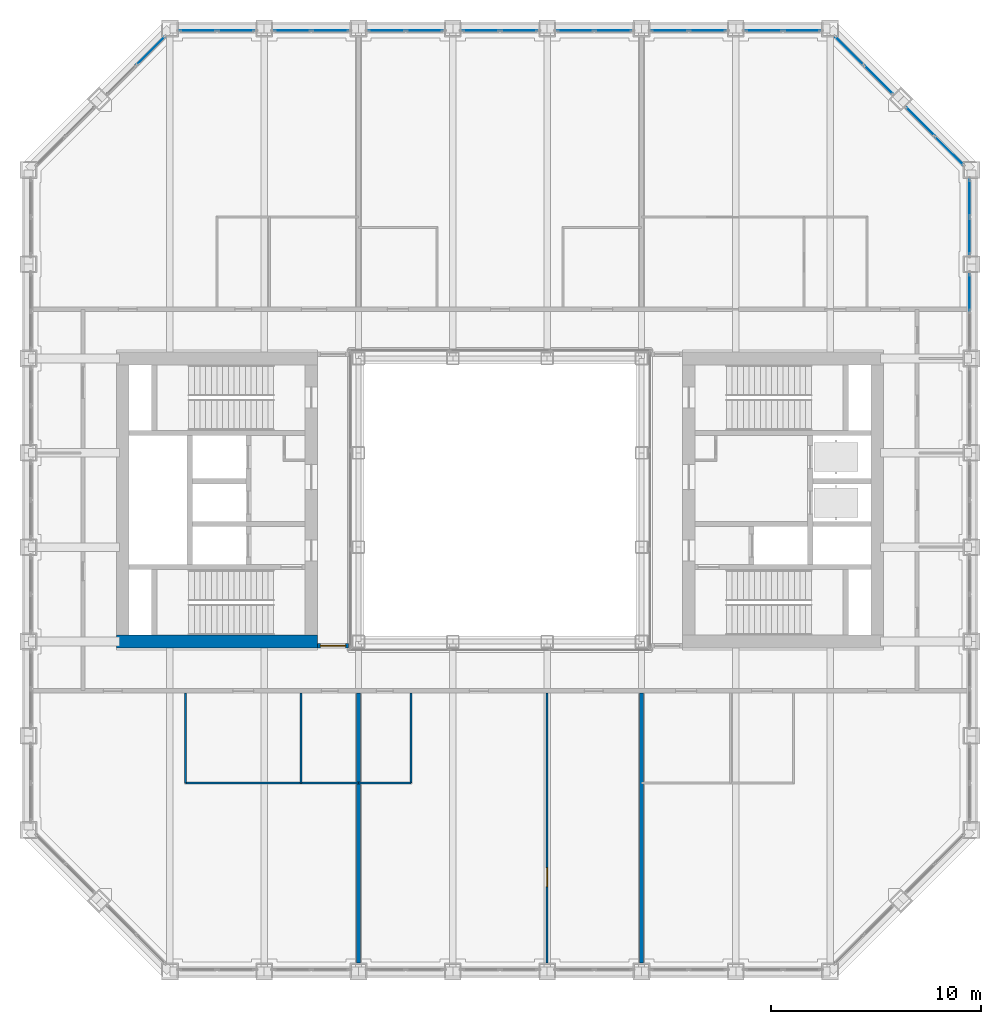
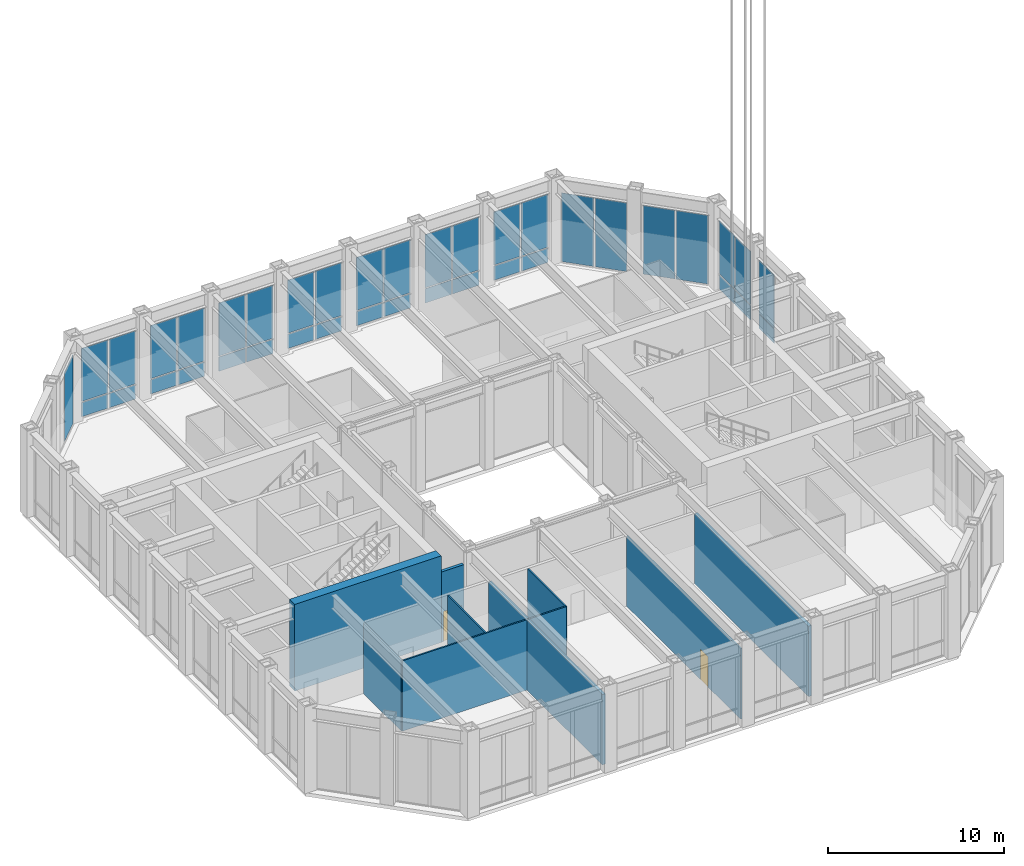
# One storey, part 12 of 22: 39 plates, 10 walls, 2 doors, 2 openings, 12 elements without a shape of their own.
"""IFC4 building model written with IfcOpenShell, lengths in metres."""

from ifc_helpers import new_model, si_unit, direction, frame, frame_2d, origin, origin_2d, place, context, subcontext, project, spatial, rectangle, extrude, material, layer, layer_set, type_object, element, fill, aggregate, save


model = new_model("IFC4")

# Units and contexts
model_context = context("Model", 3, precision=1e-05, world=origin(), true_north=direction((0.0, 1.0)))
body_context = subcontext(model_context, "Body", "Model", "MODEL_VIEW")
ifc_project = project(units=[si_unit("LENGTHUNIT", "METRE"), si_unit("AREAUNIT", "SQUARE_METRE"), si_unit("VOLUMEUNIT", "CUBIC_METRE"), si_unit("PLANEANGLEUNIT", "RADIAN"), si_unit("MASSUNIT", "GRAM", prefix="KILO")], contexts=[model_context])

# Site, building, storey
site_placement = place(None, origin())
site = spatial("IfcSite", under=ifc_project, at=site_placement, CompositionType="ELEMENT")
building_placement = place(site_placement, origin())
building = spatial("IfcBuilding", under=site, at=building_placement, Name="Msasa Ring Tower", CompositionType="ELEMENT")
storey_placement = place(building_placement, frame((0.0, 0.0, 112.39990234375)))
storey = spatial("IfcBuildingStorey", under=building, at=storey_placement, Name="L29", CompositionType="ELEMENT", Elevation=112.39990234375)

# Curtain wall, plates
ifc_material_1 = material(Name="Aluminium curtain wall with clear glass", Category="aluminium")
curtain_wall_type_1 = type_object("IfcCurtainWallType", Name="CW-C CHAMFER CORNER CURTAIN WALL", PredefinedType="NOTDEFINED", material=ifc_material_1)
curtain_wall_1_placement = place(storey_placement, origin())
curtain_wall_1 = element("IfcCurtainWall", 1, at=curtain_wall_1_placement, inside=storey, type_object=curtain_wall_type_1, Name="Chamfer corner curtain wall NE L29", PredefinedType="NOTDEFINED")
ifc_material_2 = material(Name="Clear laminated insulating glass unit", Category="glass")
ifc_layer_1 = layer(ifc_material_2, 0.031982421875)
ifc_layer_set_1 = layer_set([ifc_layer_1], Name="CW-C GLASS PANEL 32")
plate_type_1 = type_object("IfcPlateType", Name="CW-C GLASS PANEL 32", PredefinedType="CURTAIN_PANEL", material=ifc_layer_set_1)
plate_1_placement = place(storey_placement, frame((18.055908203125, 20.052734375, 0.065185546875), z_axis=(0.0, 0.0, 1.0), x_axis=(-0.707106781187, 0.707106781187, 0.0)))
plate_1 = element("IfcPlate", 2, at=plate_1_placement, type_object=plate_type_1, Name="CW-C panel 1.1", PredefinedType="CURTAIN_PANEL", context=body_context, shape_type="SweptSolid", body=[
    extrude(rectangle(XDim=1.884033203125, YDim=0.031982421875, at=origin_2d()), origin(), (0.0, 0.0, 1.0), 4.7490234375),
])
plate_2_placement = place(storey_placement, frame((16.677734375, 21.430908203125, 0.065185546875), z_axis=(0.0, 0.0, 1.0), x_axis=(-0.707106781187, 0.707106781187, 0.0)))
plate_2 = element("IfcPlate", 3, at=plate_2_placement, type_object=plate_type_1, Name="CW-C panel 2.1", PredefinedType="CURTAIN_PANEL", context=body_context, shape_type="SweptSolid", body=[
    extrude(rectangle(XDim=1.884033203125, YDim=0.031982421875, at=origin_2d()), origin(), (0.0, 0.0, 1.0), 4.7490234375),
])
aggregate(curtain_wall_1, [plate_1, plate_2])

curtain_wall_2_placement = place(storey_placement, origin())
curtain_wall_2 = element("IfcCurtainWall", 4, at=curtain_wall_2_placement, inside=storey, type_object=curtain_wall_type_1, Name="Chamfer corner curtain wall NE L29", PredefinedType="NOTDEFINED")
plate_3_placement = place(storey_placement, frame((21.430908203125, 16.677734375, 0.065185546875), z_axis=(0.0, 0.0, 1.0), x_axis=(-0.707106781187, 0.707106781187, 0.0)))
plate_3 = element("IfcPlate", 5, at=plate_3_placement, type_object=plate_type_1, Name="CW-C panel 1.1", PredefinedType="CURTAIN_PANEL", context=body_context, shape_type="SweptSolid", body=[
    extrude(rectangle(XDim=1.884033203125, YDim=0.031982421875, at=origin_2d()), origin(), (0.0, 0.0, 1.0), 4.7490234375),
])
plate_4_placement = place(storey_placement, frame((20.052734375, 18.055908203125, 0.065185546875), z_axis=(0.0, 0.0, 1.0), x_axis=(-0.707106781187, 0.707106781187, 0.0)))
plate_4 = element("IfcPlate", 6, at=plate_4_placement, type_object=plate_type_1, Name="CW-C panel 2.1", PredefinedType="CURTAIN_PANEL", context=body_context, shape_type="SweptSolid", body=[
    extrude(rectangle(XDim=1.884033203125, YDim=0.031982421875, at=origin_2d()), origin(), (0.0, 0.0, 1.0), 4.7490234375),
])
aggregate(curtain_wall_2, [plate_3, plate_4])

# Curtain wall, plate
curtain_wall_3_placement = place(storey_placement, origin())
curtain_wall_3 = element("IfcCurtainWall", 7, at=curtain_wall_3_placement, inside=storey, type_object=curtain_wall_type_1, Name="Chamfer corner curtain wall NW L29", PredefinedType="NOTDEFINED")
plate_5_placement = place(storey_placement, frame((-16.677734375, 21.430908203125, 0.065185546875), z_axis=(0.0, 0.0, 1.0), x_axis=(-0.707106781187, -0.707106781187, 0.0)))
plate_5 = element("IfcPlate", 8, at=plate_5_placement, type_object=plate_type_1, Name="CW-C panel 1.1", PredefinedType="CURTAIN_PANEL", context=body_context, shape_type="SweptSolid", body=[
    extrude(rectangle(XDim=1.884033203125, YDim=0.031982421875, at=origin_2d()), origin(), (0.0, 0.0, 1.0), 4.7490234375),
])
aggregate(curtain_wall_3, [plate_5])

# Curtain wall, plates
ifc_material_3 = material(Name="Aluminium curtain wall with clear glass", Category="aluminium")
curtain_wall_type_2 = type_object("IfcCurtainWallType", Name="CW-S SKY LOBBY CURTAIN WALL", PredefinedType="NOTDEFINED", material=ifc_material_3)
curtain_wall_4_placement = place(storey_placement, origin())
curtain_wall_4 = element("IfcCurtainWall", 9, at=curtain_wall_4_placement, inside=storey, type_object=curtain_wall_type_2, Name="Sky lobby curtain wall E L29", PredefinedType="NOTDEFINED")
ifc_material_4 = material(Name="Clear laminated insulating glass unit", Category="glass")
ifc_layer_2 = layer(ifc_material_4, 0.035888671875)
ifc_layer_set_2 = layer_set([ifc_layer_2], Name="CW-S GLASS PANEL 36")
plate_type_2 = type_object("IfcPlateType", Name="CW-S GLASS PANEL 36", PredefinedType="CURTAIN_PANEL", material=ifc_layer_set_2)
plate_6_placement = place(storey_placement, frame((22.39990234375, 9.90380859375, 0.0751953125), z_axis=(0.0, 0.0, 1.0), x_axis=(0.0, 1.0, 0.0)))
plate_6 = element("IfcPlate", 10, at=plate_6_placement, type_object=plate_type_2, Name="CW-S panel 2.1", PredefinedType="CURTAIN_PANEL", context=body_context, shape_type="SweptSolid", body=[
    extrude(rectangle(XDim=1.732421875, YDim=0.035888671875, at=origin_2d()), origin(), (0.0, 0.0, 1.0), 0.987548828125),
])
plate_7_placement = place(storey_placement, frame((22.39990234375, 9.90380859375, 1.1376953125), z_axis=(0.0, 0.0, 1.0), x_axis=(0.0, 1.0, 0.0)))
plate_7 = element("IfcPlate", 11, at=plate_7_placement, type_object=plate_type_2, Name="CW-S panel 2.2", PredefinedType="CURTAIN_PANEL", context=body_context, shape_type="SweptSolid", body=[
    extrude(rectangle(XDim=1.732421875, YDim=0.035888671875, at=origin_2d()), origin(), (0.0, 0.0, 1.0), 3.66650390625),
])
aggregate(curtain_wall_4, [plate_6, plate_7])

curtain_wall_5_placement = place(storey_placement, origin())
curtain_wall_5 = element("IfcCurtainWall", 12, at=curtain_wall_5_placement, inside=storey, type_object=curtain_wall_type_2, Name="Sky lobby curtain wall E L29", PredefinedType="NOTDEFINED")
plate_8_placement = place(storey_placement, frame((22.39990234375, 12.59619140625, 0.0751953125), z_axis=(0.0, 0.0, 1.0), x_axis=(0.0, 1.0, 0.0)))
plate_8 = element("IfcPlate", 13, at=plate_8_placement, type_object=plate_type_2, Name="CW-S panel 1.1", PredefinedType="CURTAIN_PANEL", context=body_context, shape_type="SweptSolid", body=[
    extrude(rectangle(XDim=1.732421875, YDim=0.035888671875, at=origin_2d()), origin(), (0.0, 0.0, 1.0), 0.987548828125),
])
plate_9_placement = place(storey_placement, frame((22.39990234375, 12.59619140625, 1.1376953125), z_axis=(0.0, 0.0, 1.0), x_axis=(0.0, 1.0, 0.0)))
plate_9 = element("IfcPlate", 14, at=plate_9_placement, type_object=plate_type_2, Name="CW-S panel 1.2", PredefinedType="CURTAIN_PANEL", context=body_context, shape_type="SweptSolid", body=[
    extrude(rectangle(XDim=1.732421875, YDim=0.035888671875, at=origin_2d()), origin(), (0.0, 0.0, 1.0), 3.66650390625),
])
plate_10_placement = place(storey_placement, frame((22.39990234375, 14.40380859375, 0.0751953125), z_axis=(0.0, 0.0, 1.0), x_axis=(0.0, 1.0, 0.0)))
plate_10 = element("IfcPlate", 15, at=plate_10_placement, type_object=plate_type_2, Name="CW-S panel 2.1", PredefinedType="CURTAIN_PANEL", context=body_context, shape_type="SweptSolid", body=[
    extrude(rectangle(XDim=1.732421875, YDim=0.035888671875, at=origin_2d()), origin(), (0.0, 0.0, 1.0), 0.987548828125),
])
plate_11_placement = place(storey_placement, frame((22.39990234375, 14.40380859375, 1.1376953125), z_axis=(0.0, 0.0, 1.0), x_axis=(0.0, 1.0, 0.0)))
plate_11 = element("IfcPlate", 16, at=plate_11_placement, type_object=plate_type_2, Name="CW-S panel 2.2", PredefinedType="CURTAIN_PANEL", context=body_context, shape_type="SweptSolid", body=[
    extrude(rectangle(XDim=1.732421875, YDim=0.035888671875, at=origin_2d()), origin(), (0.0, 0.0, 1.0), 3.66650390625),
])
aggregate(curtain_wall_5, [plate_8, plate_9, plate_10, plate_11])

curtain_wall_6_placement = place(storey_placement, origin())
curtain_wall_6 = element("IfcCurtainWall", 17, at=curtain_wall_6_placement, inside=storey, type_object=curtain_wall_type_2, Name="Sky lobby curtain wall N L29", PredefinedType="NOTDEFINED")
plate_12_placement = place(storey_placement, frame((-14.40380859375, 22.39990234375, 0.0751953125), z_axis=(0.0, 0.0, 1.0), x_axis=(1.0, 0.0, 0.0)))
plate_12 = element("IfcPlate", 18, at=plate_12_placement, type_object=plate_type_2, Name="CW-S panel 1.1", PredefinedType="CURTAIN_PANEL", context=body_context, shape_type="SweptSolid", body=[
    extrude(rectangle(XDim=1.732421875, YDim=0.035888671875, at=origin_2d()), origin(), (0.0, 0.0, 1.0), 0.987548828125),
])
plate_13_placement = place(storey_placement, frame((-14.40380859375, 22.39990234375, 1.1376953125), z_axis=(0.0, 0.0, 1.0), x_axis=(1.0, 0.0, 0.0)))
plate_13 = element("IfcPlate", 19, at=plate_13_placement, type_object=plate_type_2, Name="CW-S panel 1.2", PredefinedType="CURTAIN_PANEL", context=body_context, shape_type="SweptSolid", body=[
    extrude(rectangle(XDim=1.732421875, YDim=0.035888671875, at=origin_2d()), origin(), (0.0, 0.0, 1.0), 3.66650390625),
])
plate_14_placement = place(storey_placement, frame((-12.59619140625, 22.39990234375, 0.0751953125), z_axis=(0.0, 0.0, 1.0), x_axis=(1.0, 0.0, 0.0)))
plate_14 = element("IfcPlate", 20, at=plate_14_placement, type_object=plate_type_2, Name="CW-S panel 2.1", PredefinedType="CURTAIN_PANEL", context=body_context, shape_type="SweptSolid", body=[
    extrude(rectangle(XDim=1.732421875, YDim=0.035888671875, at=origin_2d()), origin(), (0.0, 0.0, 1.0), 0.987548828125),
])
plate_15_placement = place(storey_placement, frame((-12.59619140625, 22.39990234375, 1.1376953125), z_axis=(0.0, 0.0, 1.0), x_axis=(1.0, 0.0, 0.0)))
plate_15 = element("IfcPlate", 21, at=plate_15_placement, type_object=plate_type_2, Name="CW-S panel 2.2", PredefinedType="CURTAIN_PANEL", context=body_context, shape_type="SweptSolid", body=[
    extrude(rectangle(XDim=1.732421875, YDim=0.035888671875, at=origin_2d()), origin(), (0.0, 0.0, 1.0), 3.66650390625),
])
aggregate(curtain_wall_6, [plate_12, plate_13, plate_14, plate_15])

curtain_wall_7_placement = place(storey_placement, origin())
curtain_wall_7 = element("IfcCurtainWall", 22, at=curtain_wall_7_placement, inside=storey, type_object=curtain_wall_type_2, Name="Sky lobby curtain wall N L29", PredefinedType="NOTDEFINED")
plate_16_placement = place(storey_placement, frame((-9.90380859375, 22.39990234375, 0.0751953125), z_axis=(0.0, 0.0, 1.0), x_axis=(1.0, 0.0, 0.0)))
plate_16 = element("IfcPlate", 23, at=plate_16_placement, type_object=plate_type_2, Name="CW-S panel 1.1", PredefinedType="CURTAIN_PANEL", context=body_context, shape_type="SweptSolid", body=[
    extrude(rectangle(XDim=1.732421875, YDim=0.035888671875, at=origin_2d()), origin(), (0.0, 0.0, 1.0), 0.987548828125),
])
plate_17_placement = place(storey_placement, frame((-9.90380859375, 22.39990234375, 1.1376953125), z_axis=(0.0, 0.0, 1.0), x_axis=(1.0, 0.0, 0.0)))
plate_17 = element("IfcPlate", 24, at=plate_17_placement, type_object=plate_type_2, Name="CW-S panel 1.2", PredefinedType="CURTAIN_PANEL", context=body_context, shape_type="SweptSolid", body=[
    extrude(rectangle(XDim=1.732421875, YDim=0.035888671875, at=origin_2d()), origin(), (0.0, 0.0, 1.0), 3.66650390625),
])
plate_18_placement = place(storey_placement, frame((-8.09619140625, 22.39990234375, 0.0751953125), z_axis=(0.0, 0.0, 1.0), x_axis=(1.0, 0.0, 0.0)))
plate_18 = element("IfcPlate", 25, at=plate_18_placement, type_object=plate_type_2, Name="CW-S panel 2.1", PredefinedType="CURTAIN_PANEL", context=body_context, shape_type="SweptSolid", body=[
    extrude(rectangle(XDim=1.732421875, YDim=0.035888671875, at=origin_2d()), origin(), (0.0, 0.0, 1.0), 0.987548828125),
])
plate_19_placement = place(storey_placement, frame((-8.09619140625, 22.39990234375, 1.1376953125), z_axis=(0.0, 0.0, 1.0), x_axis=(1.0, 0.0, 0.0)))
plate_19 = element("IfcPlate", 26, at=plate_19_placement, type_object=plate_type_2, Name="CW-S panel 2.2", PredefinedType="CURTAIN_PANEL", context=body_context, shape_type="SweptSolid", body=[
    extrude(rectangle(XDim=1.732421875, YDim=0.035888671875, at=origin_2d()), origin(), (0.0, 0.0, 1.0), 3.66650390625),
])
aggregate(curtain_wall_7, [plate_16, plate_17, plate_18, plate_19])

curtain_wall_8_placement = place(storey_placement, origin())
curtain_wall_8 = element("IfcCurtainWall", 27, at=curtain_wall_8_placement, inside=storey, type_object=curtain_wall_type_2, Name="Sky lobby curtain wall N L29", PredefinedType="NOTDEFINED")
plate_20_placement = place(storey_placement, frame((-5.40380859375, 22.39990234375, 0.0751953125), z_axis=(0.0, 0.0, 1.0), x_axis=(1.0, 0.0, 0.0)))
plate_20 = element("IfcPlate", 28, at=plate_20_placement, type_object=plate_type_2, Name="CW-S panel 1.1", PredefinedType="CURTAIN_PANEL", context=body_context, shape_type="SweptSolid", body=[
    extrude(rectangle(XDim=1.732421875, YDim=0.035888671875, at=origin_2d()), origin(), (0.0, 0.0, 1.0), 0.987548828125),
])
plate_21_placement = place(storey_placement, frame((-5.40380859375, 22.39990234375, 1.1376953125), z_axis=(0.0, 0.0, 1.0), x_axis=(1.0, 0.0, 0.0)))
plate_21 = element("IfcPlate", 29, at=plate_21_placement, type_object=plate_type_2, Name="CW-S panel 1.2", PredefinedType="CURTAIN_PANEL", context=body_context, shape_type="SweptSolid", body=[
    extrude(rectangle(XDim=1.732421875, YDim=0.035888671875, at=origin_2d()), origin(), (0.0, 0.0, 1.0), 3.66650390625),
])
plate_22_placement = place(storey_placement, frame((-3.59619140625, 22.39990234375, 0.0751953125), z_axis=(0.0, 0.0, 1.0), x_axis=(1.0, 0.0, 0.0)))
plate_22 = element("IfcPlate", 30, at=plate_22_placement, type_object=plate_type_2, Name="CW-S panel 2.1", PredefinedType="CURTAIN_PANEL", context=body_context, shape_type="SweptSolid", body=[
    extrude(rectangle(XDim=1.732421875, YDim=0.035888671875, at=origin_2d()), origin(), (0.0, 0.0, 1.0), 0.987548828125),
])
plate_23_placement = place(storey_placement, frame((-3.59619140625, 22.39990234375, 1.1376953125), z_axis=(0.0, 0.0, 1.0), x_axis=(1.0, 0.0, 0.0)))
plate_23 = element("IfcPlate", 31, at=plate_23_placement, type_object=plate_type_2, Name="CW-S panel 2.2", PredefinedType="CURTAIN_PANEL", context=body_context, shape_type="SweptSolid", body=[
    extrude(rectangle(XDim=1.732421875, YDim=0.035888671875, at=origin_2d()), origin(), (0.0, 0.0, 1.0), 3.66650390625),
])
aggregate(curtain_wall_8, [plate_20, plate_21, plate_22, plate_23])

curtain_wall_9_placement = place(storey_placement, origin())
curtain_wall_9 = element("IfcCurtainWall", 32, at=curtain_wall_9_placement, inside=storey, type_object=curtain_wall_type_2, Name="Sky lobby curtain wall N L29", PredefinedType="NOTDEFINED")
plate_24_placement = place(storey_placement, frame((-0.90380859375, 22.39990234375, 0.0751953125), z_axis=(0.0, 0.0, 1.0), x_axis=(1.0, 0.0, 0.0)))
plate_24 = element("IfcPlate", 33, at=plate_24_placement, type_object=plate_type_2, Name="CW-S panel 1.1", PredefinedType="CURTAIN_PANEL", context=body_context, shape_type="SweptSolid", body=[
    extrude(rectangle(XDim=1.732421875, YDim=0.035888671875, at=origin_2d()), origin(), (0.0, 0.0, 1.0), 0.987548828125),
])
plate_25_placement = place(storey_placement, frame((-0.90380859375, 22.39990234375, 1.1376953125), z_axis=(0.0, 0.0, 1.0), x_axis=(1.0, 0.0, 0.0)))
plate_25 = element("IfcPlate", 34, at=plate_25_placement, type_object=plate_type_2, Name="CW-S panel 1.2", PredefinedType="CURTAIN_PANEL", context=body_context, shape_type="SweptSolid", body=[
    extrude(rectangle(XDim=1.732421875, YDim=0.035888671875, at=origin_2d()), origin(), (0.0, 0.0, 1.0), 3.66650390625),
])
plate_26_placement = place(storey_placement, frame((0.90380859375, 22.39990234375, 0.0751953125), z_axis=(0.0, 0.0, 1.0), x_axis=(1.0, 0.0, 0.0)))
plate_26 = element("IfcPlate", 35, at=plate_26_placement, type_object=plate_type_2, Name="CW-S panel 2.1", PredefinedType="CURTAIN_PANEL", context=body_context, shape_type="SweptSolid", body=[
    extrude(rectangle(XDim=1.732421875, YDim=0.035888671875, at=origin_2d()), origin(), (0.0, 0.0, 1.0), 0.987548828125),
])
plate_27_placement = place(storey_placement, frame((0.90380859375, 22.39990234375, 1.1376953125), z_axis=(0.0, 0.0, 1.0), x_axis=(1.0, 0.0, 0.0)))
plate_27 = element("IfcPlate", 36, at=plate_27_placement, type_object=plate_type_2, Name="CW-S panel 2.2", PredefinedType="CURTAIN_PANEL", context=body_context, shape_type="SweptSolid", body=[
    extrude(rectangle(XDim=1.732421875, YDim=0.035888671875, at=origin_2d()), origin(), (0.0, 0.0, 1.0), 3.66650390625),
])
aggregate(curtain_wall_9, [plate_24, plate_25, plate_26, plate_27])

curtain_wall_10_placement = place(storey_placement, origin())
curtain_wall_10 = element("IfcCurtainWall", 37, at=curtain_wall_10_placement, inside=storey, type_object=curtain_wall_type_2, Name="Sky lobby curtain wall N L29", PredefinedType="NOTDEFINED")
plate_28_placement = place(storey_placement, frame((3.59619140625, 22.39990234375, 0.0751953125), z_axis=(0.0, 0.0, 1.0), x_axis=(1.0, 0.0, 0.0)))
plate_28 = element("IfcPlate", 38, at=plate_28_placement, type_object=plate_type_2, Name="CW-S panel 1.1", PredefinedType="CURTAIN_PANEL", context=body_context, shape_type="SweptSolid", body=[
    extrude(rectangle(XDim=1.732421875, YDim=0.035888671875, at=origin_2d()), origin(), (0.0, 0.0, 1.0), 0.987548828125),
])
plate_29_placement = place(storey_placement, frame((3.59619140625, 22.39990234375, 1.1376953125), z_axis=(0.0, 0.0, 1.0), x_axis=(1.0, 0.0, 0.0)))
plate_29 = element("IfcPlate", 39, at=plate_29_placement, type_object=plate_type_2, Name="CW-S panel 1.2", PredefinedType="CURTAIN_PANEL", context=body_context, shape_type="SweptSolid", body=[
    extrude(rectangle(XDim=1.732421875, YDim=0.035888671875, at=origin_2d()), origin(), (0.0, 0.0, 1.0), 3.66650390625),
])
plate_30_placement = place(storey_placement, frame((5.40380859375, 22.39990234375, 0.0751953125), z_axis=(0.0, 0.0, 1.0), x_axis=(1.0, 0.0, 0.0)))
plate_30 = element("IfcPlate", 40, at=plate_30_placement, type_object=plate_type_2, Name="CW-S panel 2.1", PredefinedType="CURTAIN_PANEL", context=body_context, shape_type="SweptSolid", body=[
    extrude(rectangle(XDim=1.732421875, YDim=0.035888671875, at=origin_2d()), origin(), (0.0, 0.0, 1.0), 0.987548828125),
])
plate_31_placement = place(storey_placement, frame((5.40380859375, 22.39990234375, 1.1376953125), z_axis=(0.0, 0.0, 1.0), x_axis=(1.0, 0.0, 0.0)))
plate_31 = element("IfcPlate", 41, at=plate_31_placement, type_object=plate_type_2, Name="CW-S panel 2.2", PredefinedType="CURTAIN_PANEL", context=body_context, shape_type="SweptSolid", body=[
    extrude(rectangle(XDim=1.732421875, YDim=0.035888671875, at=origin_2d()), origin(), (0.0, 0.0, 1.0), 3.66650390625),
])
aggregate(curtain_wall_10, [plate_28, plate_29, plate_30, plate_31])

curtain_wall_11_placement = place(storey_placement, origin())
curtain_wall_11 = element("IfcCurtainWall", 42, at=curtain_wall_11_placement, inside=storey, type_object=curtain_wall_type_2, Name="Sky lobby curtain wall N L29", PredefinedType="NOTDEFINED")
plate_32_placement = place(storey_placement, frame((8.09619140625, 22.39990234375, 0.0751953125), z_axis=(0.0, 0.0, 1.0), x_axis=(1.0, 0.0, 0.0)))
plate_32 = element("IfcPlate", 43, at=plate_32_placement, type_object=plate_type_2, Name="CW-S panel 1.1", PredefinedType="CURTAIN_PANEL", context=body_context, shape_type="SweptSolid", body=[
    extrude(rectangle(XDim=1.732421875, YDim=0.035888671875, at=origin_2d()), origin(), (0.0, 0.0, 1.0), 0.987548828125),
])
plate_33_placement = place(storey_placement, frame((8.09619140625, 22.39990234375, 1.1376953125), z_axis=(0.0, 0.0, 1.0), x_axis=(1.0, 0.0, 0.0)))
plate_33 = element("IfcPlate", 44, at=plate_33_placement, type_object=plate_type_2, Name="CW-S panel 1.2", PredefinedType="CURTAIN_PANEL", context=body_context, shape_type="SweptSolid", body=[
    extrude(rectangle(XDim=1.732421875, YDim=0.035888671875, at=origin_2d()), origin(), (0.0, 0.0, 1.0), 3.66650390625),
])
plate_34_placement = place(storey_placement, frame((9.90380859375, 22.39990234375, 0.0751953125), z_axis=(0.0, 0.0, 1.0), x_axis=(1.0, 0.0, 0.0)))
plate_34 = element("IfcPlate", 45, at=plate_34_placement, type_object=plate_type_2, Name="CW-S panel 2.1", PredefinedType="CURTAIN_PANEL", context=body_context, shape_type="SweptSolid", body=[
    extrude(rectangle(XDim=1.732421875, YDim=0.035888671875, at=origin_2d()), origin(), (0.0, 0.0, 1.0), 0.987548828125),
])
plate_35_placement = place(storey_placement, frame((9.90380859375, 22.39990234375, 1.1376953125), z_axis=(0.0, 0.0, 1.0), x_axis=(1.0, 0.0, 0.0)))
plate_35 = element("IfcPlate", 46, at=plate_35_placement, type_object=plate_type_2, Name="CW-S panel 2.2", PredefinedType="CURTAIN_PANEL", context=body_context, shape_type="SweptSolid", body=[
    extrude(rectangle(XDim=1.732421875, YDim=0.035888671875, at=origin_2d()), origin(), (0.0, 0.0, 1.0), 3.66650390625),
])
aggregate(curtain_wall_11, [plate_32, plate_33, plate_34, plate_35])

curtain_wall_12_placement = place(storey_placement, origin())
curtain_wall_12 = element("IfcCurtainWall", 47, at=curtain_wall_12_placement, inside=storey, type_object=curtain_wall_type_2, Name="Sky lobby curtain wall N L29", PredefinedType="NOTDEFINED")
plate_36_placement = place(storey_placement, frame((12.59619140625, 22.39990234375, 0.0751953125), z_axis=(0.0, 0.0, 1.0), x_axis=(1.0, 0.0, 0.0)))
plate_36 = element("IfcPlate", 48, at=plate_36_placement, type_object=plate_type_2, Name="CW-S panel 1.1", PredefinedType="CURTAIN_PANEL", context=body_context, shape_type="SweptSolid", body=[
    extrude(rectangle(XDim=1.732421875, YDim=0.035888671875, at=origin_2d()), origin(), (0.0, 0.0, 1.0), 0.987548828125),
])
plate_37_placement = place(storey_placement, frame((12.59619140625, 22.39990234375, 1.1376953125), z_axis=(0.0, 0.0, 1.0), x_axis=(1.0, 0.0, 0.0)))
plate_37 = element("IfcPlate", 49, at=plate_37_placement, type_object=plate_type_2, Name="CW-S panel 1.2", PredefinedType="CURTAIN_PANEL", context=body_context, shape_type="SweptSolid", body=[
    extrude(rectangle(XDim=1.732421875, YDim=0.035888671875, at=origin_2d()), origin(), (0.0, 0.0, 1.0), 3.66650390625),
])
plate_38_placement = place(storey_placement, frame((14.40380859375, 22.39990234375, 0.0751953125), z_axis=(0.0, 0.0, 1.0), x_axis=(1.0, 0.0, 0.0)))
plate_38 = element("IfcPlate", 50, at=plate_38_placement, type_object=plate_type_2, Name="CW-S panel 2.1", PredefinedType="CURTAIN_PANEL", context=body_context, shape_type="SweptSolid", body=[
    extrude(rectangle(XDim=1.732421875, YDim=0.035888671875, at=origin_2d()), origin(), (0.0, 0.0, 1.0), 0.987548828125),
])
plate_39_placement = place(storey_placement, frame((14.40380859375, 22.39990234375, 1.1376953125), z_axis=(0.0, 0.0, 1.0), x_axis=(1.0, 0.0, 0.0)))
plate_39 = element("IfcPlate", 51, at=plate_39_placement, type_object=plate_type_2, Name="CW-S panel 2.2", PredefinedType="CURTAIN_PANEL", context=body_context, shape_type="SweptSolid", body=[
    extrude(rectangle(XDim=1.732421875, YDim=0.035888671875, at=origin_2d()), origin(), (0.0, 0.0, 1.0), 3.66650390625),
])
aggregate(curtain_wall_12, [plate_36, plate_37, plate_38, plate_39])

# Wall
ifc_material_5 = material(Name="Concrete C60/75", Category="concrete")
ifc_layer_3 = layer(ifc_material_5, 0.60009765625)
ifc_layer_set_3 = layer_set([ifc_layer_3], Name="CW2 CORE WALL 600")
wall_type_1 = type_object("IfcWallType", Name="CW2 CORE WALL 600", PredefinedType="SHEAR", material=ifc_layer_set_3)
wall_1_placement = place(storey_placement, frame((-8.699951171875, -6.75, 0.0), z_axis=(0.0, 0.0, 1.0), x_axis=(-1.0, 0.0, 0.0)))
element("IfcWall", 52, at=wall_1_placement, inside=storey, type_object=wall_type_1, Name="W core wall S L29", PredefinedType="SHEAR", context=body_context, shape_type="SweptSolid", body=[
    extrude(rectangle(XDim=9.60009765625, YDim=0.60009765625, at=frame_2d((4.800048828125, 0.0))), origin(), (0.0, 0.0, 1.0), 6.0),
])

# Wall, opening, door
ifc_material_6 = material(Name="Concrete blockwork", Category="masonry")
ifc_layer_4 = layer(ifc_material_6, 0.199951171875)
ifc_layer_set_4 = layer_set([ifc_layer_4], Name="PT1 CORRIDOR WALL 200")
wall_type_2 = type_object("IfcWallType", Name="PT1 CORRIDOR WALL 200", PredefinedType="PARTITIONING", material=ifc_layer_set_4)
wall_2_placement = place(storey_placement, frame((-8.699951171875, -6.949951171875, 0.0), z_axis=(0.0, 0.0, 1.0), x_axis=(1.0, 0.0, 0.0)))
wall_2 = element("IfcWall", 53, at=wall_2_placement, inside=storey, type_object=wall_type_2, Name="Corridor wall L29-SDWS", PredefinedType="PARTITIONING", context=body_context, shape_type="SweptSolid", body=[
    extrude(rectangle(XDim=1.469970703125, YDim=0.199951171875, at=frame_2d((0.73486328125, 0.0))), origin(), (0.0, 0.0, 1.0), 4.87353515625),
])
opening_1_placement = place(wall_2_placement, frame((0.135009765625, 0.0, 0.0)))
opening_1 = element("IfcOpeningElement", 54, at=opening_1_placement, cuts=wall_2, Name="Opening L29-030", PredefinedType="OPENING", context=body_context, shape_type="SweptSolid", body=[
    extrude(rectangle(XDim=1.199951171875, YDim=2.10009765625, at=frame_2d((0.60009765625, 1.050048828125))), frame((0.0, 0.10986328125, 0.0), z_axis=(0.0, -1.0, 0.0), x_axis=(1.0, 0.0, 0.0)), (0.0, 0.0, 1.0), 0.219970703125),
])
ifc_material_7 = material(Name="Timber door leaf in a steel frame", Category="steel")
door_type_1 = type_object("IfcDoorType", Name="D25 CORRIDOR PAIR OF SMOKE DOORS 1200x2100", OperationType="DOUBLE_DOOR_DOUBLE_SWING", PredefinedType="DOOR", material=ifc_material_7)
door_1_placement = place(opening_1_placement, origin())
door_1 = element("IfcDoor", 55, at=door_1_placement, inside=storey, type_object=door_type_1, Name="Door L29-SDWS", OperationType="DOUBLE_DOOR_DOUBLE_SWING", OverallHeight=2.10009765625, OverallWidth=1.199951171875, PredefinedType="DOOR", context=body_context, shape_type="SweptSolid", body=[
    extrude(rectangle(XDim=1.199951171875, YDim=2.10009765625, at=frame_2d((0.60009765625, 1.050048828125))), frame((0.0, 0.02490234375, 0.0), z_axis=(0.0, -1.0, 0.0), x_axis=(1.0, 0.0, 0.0)), (0.0, 0.0, 1.0), 0.050048828125),
])
fill(opening_1, door_1)

# Walls
ifc_material_8 = material(Name="Gypsum board on steel studs", Category="steel")
ifc_layer_5 = layer(ifc_material_8, 0.10009765625)
ifc_layer_set_5 = layer_set([ifc_layer_5], Name="PT2 STUD PARTITION 100")
wall_type_3 = type_object("IfcWallType", Name="PT2 STUD PARTITION 100", PredefinedType="PARTITIONING", material=ifc_layer_set_5)
wall_3_placement = place(storey_placement, frame((-15.0, -13.5, 0.0), z_axis=(0.0, 0.0, 1.0), x_axis=(1.0, 0.0, 0.0)))
element("IfcWall", 56, at=wall_3_placement, inside=storey, type_object=wall_type_3, Name="Partition L29-SLS0X0", PredefinedType="PARTITIONING", context=body_context, shape_type="SweptSolid", body=[
    extrude(rectangle(XDim=8.25, YDim=0.10009765625, at=frame_2d((4.125, 0.0))), origin(), (0.0, 0.0, 1.0), 4.87353515625),
])
for number, where, z_axis, x_axis, name in (
    (57, (-15.0, -13.5, 0.0), (0.0, 0.0, 1.0), (0.0, 1.0, 0.0), "Partition L29-SLS0Y0"),
    (58, (-9.5, -13.5, 0.0), (0.0, 0.0, 1.0), (0.0, 1.0, 0.0), "Partition L29-SLS0Y1"),
):
    element("IfcWall", number, at=place(storey_placement, frame(where, z_axis=z_axis, x_axis=x_axis)), inside=storey, type_object=wall_type_3, Name=name, PredefinedType="PARTITIONING", context=body_context, shape_type="SweptSolid", body=[
        extrude(rectangle(XDim=4.300048828125, YDim=0.10009765625, at=frame_2d((2.14990234375, 0.0))), origin(), (0.0, 0.0, 1.0), 4.87353515625),
    ])
wall_4_placement = place(storey_placement, frame((-6.75, -13.5, 0.0), z_axis=(0.0, 0.0, 1.0), x_axis=(1.0, 0.0, 0.0)))
element("IfcWall", 59, at=wall_4_placement, inside=storey, type_object=wall_type_3, Name="Partition L29-SLS1X0", PredefinedType="PARTITIONING", context=body_context, shape_type="SweptSolid", body=[
    extrude(rectangle(XDim=2.5, YDim=0.10009765625, at=frame_2d((1.25, 0.0))), origin(), (0.0, 0.0, 1.0), 4.87353515625),
])
wall_5_placement = place(storey_placement, frame((-4.25, -13.5, 0.0), z_axis=(0.0, 0.0, 1.0), x_axis=(0.0, 1.0, 0.0)))
element("IfcWall", 60, at=wall_5_placement, inside=storey, type_object=wall_type_3, Name="Partition L29-SLS1Y0", PredefinedType="PARTITIONING", context=body_context, shape_type="SweptSolid", body=[
    extrude(rectangle(XDim=4.300048828125, YDim=0.10009765625, at=frame_2d((2.14990234375, 0.0))), origin(), (0.0, 0.0, 1.0), 4.87353515625),
])

# Wall, opening, door
wall_6_placement = place(storey_placement, frame((2.25, -22.10009765625, 0.0), z_axis=(0.0, 0.0, 1.0), x_axis=(0.0, 1.0, 0.0)))
wall_6 = element("IfcWall", 61, at=wall_6_placement, inside=storey, type_object=wall_type_3, Name="Partition L29-SLS1S0", PredefinedType="PARTITIONING", context=body_context, shape_type="SweptSolid", body=[
    extrude(rectangle(XDim=12.900146484375, YDim=0.10009765625, at=frame_2d((6.4501953125, 0.0))), origin(), (0.0, 0.0, 1.0), 4.87353515625),
])
opening_2_placement = place(wall_6_placement, frame((3.64990234375, 0.0, 0.0)))
opening_2 = element("IfcOpeningElement", 62, at=opening_2_placement, cuts=wall_6, Name="Opening L29-041", PredefinedType="OPENING", context=body_context, shape_type="SweptSolid", body=[
    extrude(rectangle(XDim=0.89990234375, YDim=2.10009765625, at=frame_2d((0.449951171875, 1.050048828125))), frame((0.0, 0.06005859375, 0.0), z_axis=(0.0, -1.0, 0.0), x_axis=(1.0, 0.0, 0.0)), (0.0, 0.0, 1.0), 0.1201171875),
])
ifc_material_9 = material(Name="Timber door leaf in a steel frame", Category="steel")
door_type_2 = type_object("IfcDoorType", Name="D31 INTERNAL ROOM DOOR 900x2100", OperationType="SINGLE_SWING_LEFT", PredefinedType="DOOR", material=ifc_material_9)
door_2_placement = place(opening_2_placement, origin())
door_2 = element("IfcDoor", 63, at=door_2_placement, inside=storey, type_object=door_type_2, Name="Door L29-SLS1L01", OperationType="SINGLE_SWING_LEFT", OverallHeight=2.10009765625, OverallWidth=0.89990234375, PredefinedType="DOOR", context=body_context, shape_type="SweptSolid", body=[
    extrude(rectangle(XDim=0.89990234375, YDim=2.10009765625, at=frame_2d((0.449951171875, 1.050048828125))), frame((0.0, 0.02490234375, 0.0), z_axis=(0.0, -1.0, 0.0), x_axis=(1.0, 0.0, 0.0)), (0.0, 0.0, 1.0), 0.050048828125),
])
fill(opening_2, door_2)

# Walls
ifc_material_10 = material(Name="Dense concrete blockwork, plastered both faces", Category="masonry")
ifc_layer_6 = layer(ifc_material_10, 0.25)
ifc_layer_set_6 = layer_set([ifc_layer_6], Name="PT3 APARTMENT SEPARATING WALL 250")
wall_type_4 = type_object("IfcWallType", Name="PT3 APARTMENT SEPARATING WALL 250", PredefinedType="PARTITIONING", material=ifc_layer_set_6)
for number, where, z_axis, x_axis, name in (
    (64, (-6.75, -22.10009765625, 0.0), (0.0, 0.0, 1.0), (0.0, 1.0, 0.0), "Party wall L29-PWS-6.75"),
    (65, (6.75, -22.10009765625, 0.0), (0.0, 0.0, 1.0), (0.0, 1.0, 0.0), "Party wall L29-PWS+6.75"),
):
    element("IfcWall", number, at=place(storey_placement, frame(where, z_axis=z_axis, x_axis=x_axis)), inside=storey, type_object=wall_type_4, Name=name, PredefinedType="PARTITIONING", context=body_context, shape_type="SweptSolid", body=[
        extrude(rectangle(XDim=12.900146484375, YDim=0.199951171875, at=frame_2d((6.4501953125, 0.0))), origin(), (0.0, 0.0, 1.0), 4.87353515625),
    ])

save(model, "model.ifc")
